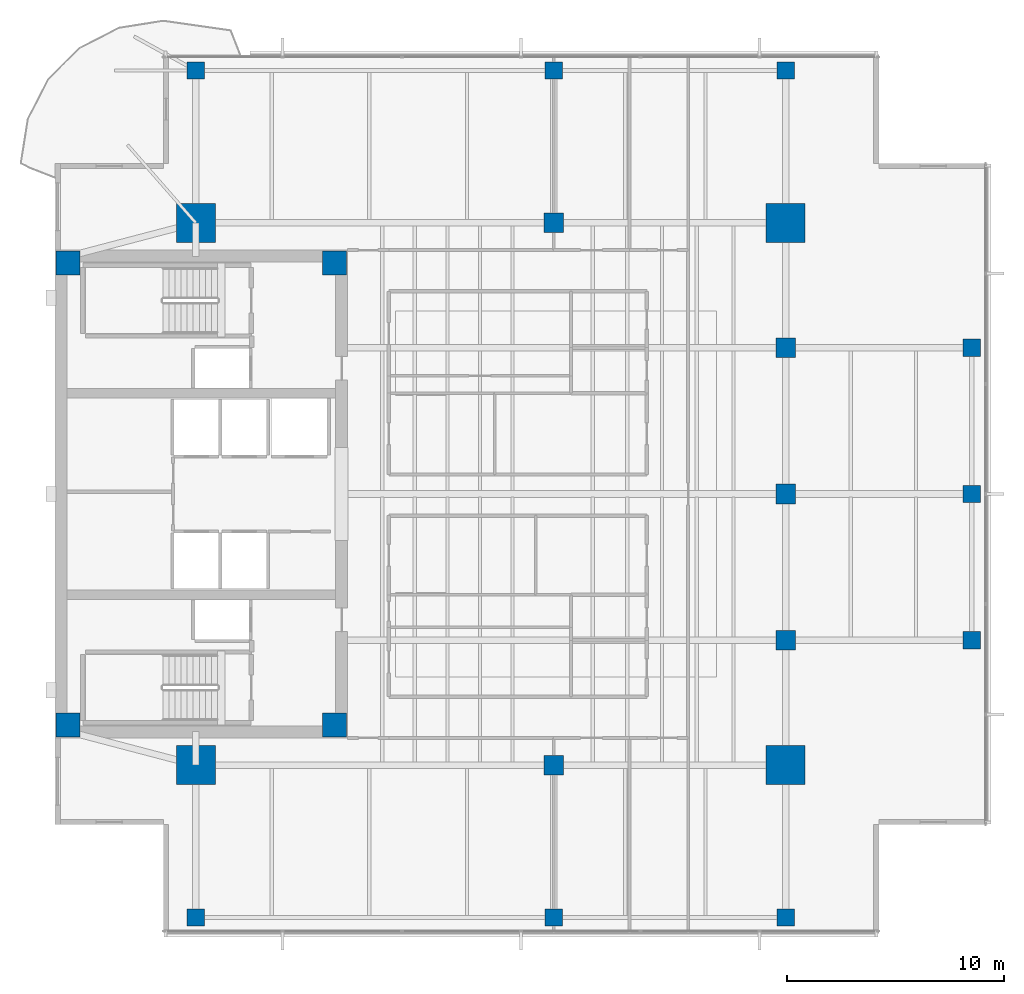
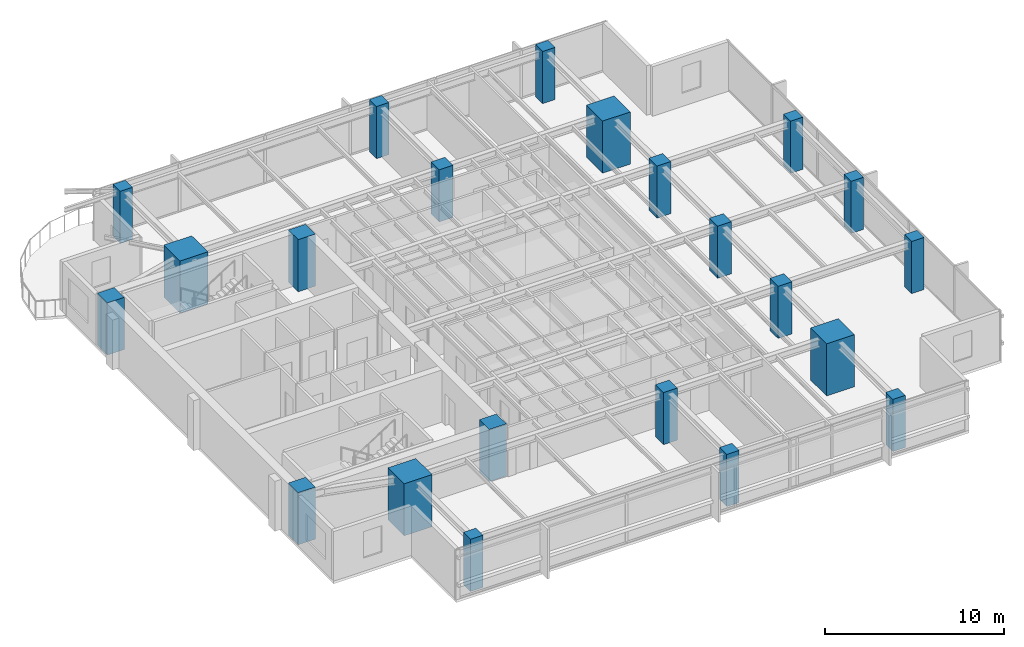
# One storey, part 1 of 15: 22 columns.
"""IFC4 building model written with IfcOpenShell, lengths in metres."""

from ifc_helpers import new_model, si_unit, direction, frame, origin, origin_2d, place, context, subcontext, project, spatial, rectangle, extrude, material, material_profile, profile_set, type_object, element, save


model = new_model("IFC4")

# Units and contexts
model_context = context("Model", 3, precision=1e-05, world=origin(), true_north=direction((0.0, 1.0)))
body_context = subcontext(model_context, "Body", "Model", "MODEL_VIEW")
ifc_project = project(units=[si_unit("LENGTHUNIT", "METRE"), si_unit("AREAUNIT", "SQUARE_METRE"), si_unit("VOLUMEUNIT", "CUBIC_METRE"), si_unit("PLANEANGLEUNIT", "RADIAN"), si_unit("MASSUNIT", "GRAM", prefix="KILO")], contexts=[model_context])

# Site, building, storey
site_placement = place(None, origin())
site = spatial("IfcSite", under=ifc_project, at=site_placement, CompositionType="ELEMENT")
building_placement = place(site_placement, origin())
building = spatial("IfcBuilding", under=site, at=building_placement, Name="Kinhvarn Gate Tower", CompositionType="ELEMENT")
storey_placement = place(building_placement, frame((0.0, 0.0, 220.0)))
storey = spatial("IfcBuildingStorey", under=building, at=storey_placement, Name="L58", CompositionType="ELEMENT", Elevation=220.0)

# Columns
ifc_material_1 = material(Name="Concrete C60/75", Category="concrete")
ifc_material_profile_1 = material_profile(ifc_material_1, rectangle(XDim=1.800048828125, YDim=1.800048828125, at=origin_2d()), Name="RC 1800x1800")
ifc_profile_set_1 = profile_set([ifc_material_profile_1], Name="Concrete C60/75")
column_type_1 = type_object("IfcColumnType", Name="COL-MC-1800", PredefinedType="COLUMN", material=ifc_profile_set_1)
for number, where, z_axis, x_axis, name in (
    (1, (11.0, 12.75, 0.0), (0.0, 0.0, 1.0), (1.0, 0.0, 0.0), "Column MC1-L58 (MC-18)"),
    (2, (11.0, 37.75, 0.0), (0.0, 0.0, 1.0), (1.0, 0.0, 0.0), "Column MC4-L58 (MC-18)"),
    (3, (38.199951171875, 12.75, 0.0), (0.0, 0.0, 1.0), (1.0, 0.0, 0.0), "Column MC2-L58 (MC-18)"),
    (4, (38.199951171875, 37.75, 0.0), (0.0, 0.0, 1.0), (1.0, 0.0, 0.0), "Column MC3-L58 (MC-18)"),
):
    element("IfcColumn", number, at=place(storey_placement, frame(where, z_axis=z_axis, x_axis=x_axis)), inside=storey, type_object=column_type_1, Name=name, PredefinedType="COLUMN", context=body_context, shape_type="SweptSolid", body=[
        extrude(rectangle(XDim=1.800048828125, YDim=1.800048828125, at=origin_2d()), origin(), (0.0, 0.0, 1.0), 3.550048828125),
    ])
ifc_material_2 = material(Name="Concrete C50/60", Category="concrete")
ifc_material_profile_2 = material_profile(ifc_material_2, rectangle(XDim=0.800048828125, YDim=0.800048828125, at=origin_2d()), Name="RC 800x800")
ifc_profile_set_2 = profile_set([ifc_material_profile_2], Name="Concrete C50/60")
column_type_2 = type_object("IfcColumnType", Name="COL-RC-800", PredefinedType="COLUMN", material=ifc_profile_set_2)
for number, where, z_axis, x_axis, name in (
    (5, (46.780029296875, 18.5, 0.0), (0.0, 0.0, 1.0), (1.0, 0.0, 0.0), "Column CE-1-L58 (C-080)"),
    (6, (46.780029296875, 25.25, 0.0), (0.0, 0.0, 1.0), (1.0, 0.0, 0.0), "Column CE-2-L58 (C-080)"),
    (7, (46.780029296875, 32.0, 0.0), (0.0, 0.0, 1.0), (1.0, 0.0, 0.0), "Column CE-3-L58 (C-080)"),
    (8, (11.0, 5.719970703125, 0.0), (0.0, 0.0, 1.0), (1.0, 0.0, 0.0), "Column CS-0-L58 (C-080)"),
    (9, (27.5, 5.719970703125, 0.0), (0.0, 0.0, 1.0), (1.0, 0.0, 0.0), "Column CS-1-L58 (C-080)"),
    (10, (38.199951171875, 5.719970703125, 0.0), (0.0, 0.0, 1.0), (1.0, 0.0, 0.0), "Column CS-2-L58 (C-080)"),
    (11, (11.0, 44.780029296875, 0.0), (0.0, 0.0, 1.0), (1.0, 0.0, 0.0), "Column CN-0-L58 (C-080)"),
    (12, (27.5, 44.780029296875, 0.0), (0.0, 0.0, 1.0), (1.0, 0.0, 0.0), "Column CN-1-L58 (C-080)"),
    (13, (38.199951171875, 44.780029296875, 0.0), (0.0, 0.0, 1.0), (1.0, 0.0, 0.0), "Column CN-2-L58 (C-080)"),
):
    element("IfcColumn", number, at=place(storey_placement, frame(where, z_axis=z_axis, x_axis=x_axis)), inside=storey, type_object=column_type_2, Name=name, PredefinedType="COLUMN", context=body_context, shape_type="SweptSolid", body=[
        extrude(rectangle(XDim=0.800048828125, YDim=0.800048828125, at=origin_2d()), origin(), (0.0, 0.0, 1.0), 3.550048828125),
    ])
ifc_material_profile_3 = material_profile(ifc_material_1, rectangle(XDim=0.89990234375, YDim=0.89990234375, at=origin_2d()), Name="RC 900x900")
ifc_profile_set_3 = profile_set([ifc_material_profile_3], Name="Concrete C60/75")
column_type_3 = type_object("IfcColumnType", Name="COL-RC-900", PredefinedType="COLUMN", material=ifc_profile_set_3)
for number, where, z_axis, x_axis, name in (
    (14, (27.5, 12.75, 0.0), (0.0, 0.0, 1.0), (1.0, 0.0, 0.0), "Column SP27-S-L58 (C-090)"),
    (15, (27.5, 37.75, 0.0), (0.0, 0.0, 1.0), (1.0, 0.0, 0.0), "Column SP27-N-L58 (C-090)"),
    (16, (38.199951171875, 18.5, 0.0), (0.0, 0.0, 1.0), (1.0, 0.0, 0.0), "Column SP38-E1-L58 (C-090)"),
    (17, (38.199951171875, 25.25, 0.0), (0.0, 0.0, 1.0), (1.0, 0.0, 0.0), "Column SP38-E2-L58 (C-090)"),
    (18, (38.199951171875, 32.0, 0.0), (0.0, 0.0, 1.0), (1.0, 0.0, 0.0), "Column SP38-E3-L58 (C-090)"),
):
    element("IfcColumn", number, at=place(storey_placement, frame(where, z_axis=z_axis, x_axis=x_axis)), inside=storey, type_object=column_type_3, Name=name, PredefinedType="COLUMN", context=body_context, shape_type="SweptSolid", body=[
        extrude(rectangle(XDim=0.89990234375, YDim=0.89990234375, at=origin_2d()), origin(), (0.0, 0.0, 1.0), 3.550048828125),
    ])
ifc_material_profile_4 = material_profile(ifc_material_1, rectangle(XDim=1.10009765625, YDim=1.10009765625, at=origin_2d()), Name="RC 1100x1100")
ifc_profile_set_4 = profile_set([ifc_material_profile_4], Name="Concrete C60/75")
column_type_4 = type_object("IfcColumnType", Name="PIL-RC-1100", PredefinedType="PILASTER", material=ifc_profile_set_4)
for number, where, z_axis, x_axis, name in (
    (19, (5.10009765625, 14.60009765625, 0.0), (0.0, 0.0, 1.0), (1.0, 0.0, 0.0), "Column CC-SW-L58 (CP-110)"),
    (20, (5.10009765625, 35.89990234375, 0.0), (0.0, 0.0, 1.0), (1.0, 0.0, 0.0), "Column CC-NW-L58 (CP-110)"),
    (21, (17.39990234375, 14.60009765625, 0.0), (0.0, 0.0, 1.0), (1.0, 0.0, 0.0), "Column CC-SE-L58 (CP-110)"),
    (22, (17.39990234375, 35.89990234375, 0.0), (0.0, 0.0, 1.0), (1.0, 0.0, 0.0), "Column CC-NE-L58 (CP-110)"),
):
    element("IfcColumn", number, at=place(storey_placement, frame(where, z_axis=z_axis, x_axis=x_axis)), inside=storey, type_object=column_type_4, Name=name, PredefinedType="PILASTER", context=body_context, shape_type="SweptSolid", body=[
        extrude(rectangle(XDim=1.10009765625, YDim=1.10009765625, at=origin_2d()), origin(), (0.0, 0.0, 1.0), 3.550048828125),
    ])

save(model, "model.ifc")
